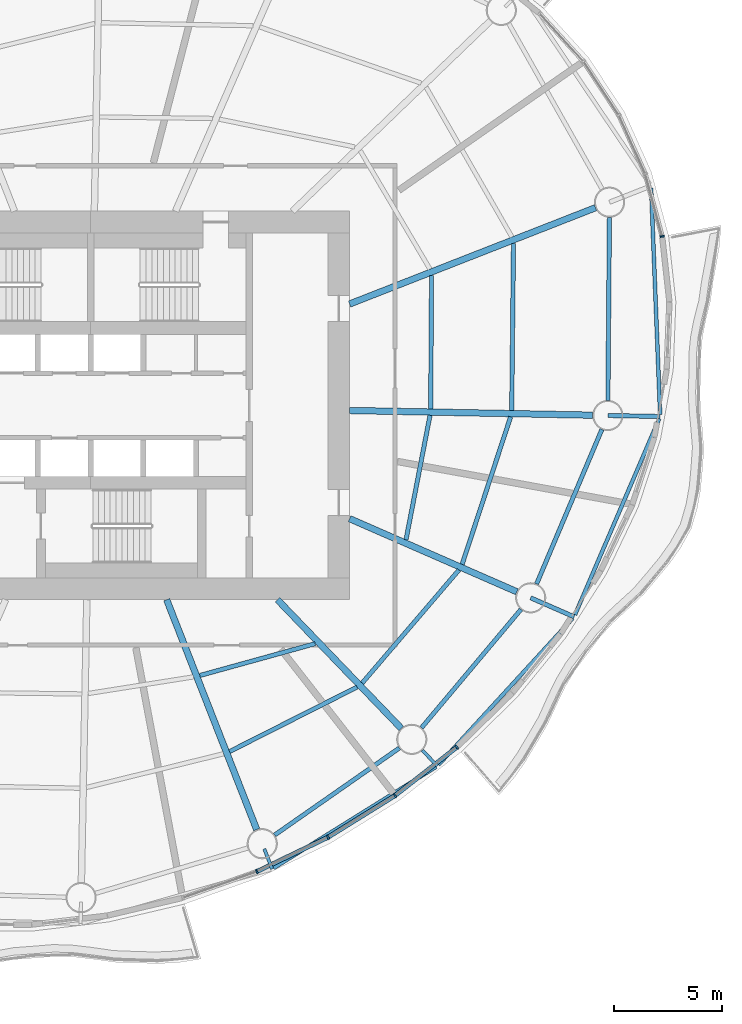
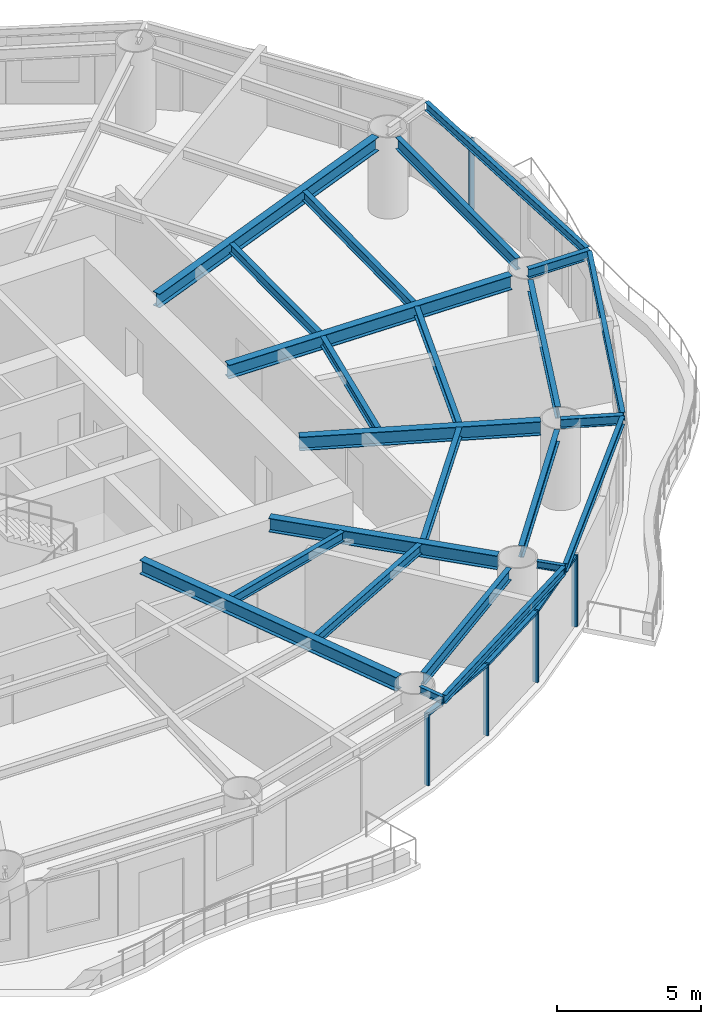
# One storey, part 4 of 14: 24 beams, 8 members, 4 elements without a shape of their own.
"""IFC4 building model written with IfcOpenShell, lengths in metres."""

import ifcopenshell
import ifcopenshell.guid

model = None  # the IFC model being written
_history = None  # IfcOwnerHistory: only IFC2X3 demands one
_inside = {}  # id of a spatial element -> (the spatial element, [elements in it])
_under = {}  # id of a project, library or spatial element -> (it, [spatial elements below it])
_declared = {}  # id of a project -> (the project, [libraries it declares])
_typed = {}  # id of a type object -> (the type object, [elements of that type])
_made_of = {}  # id of a material, layer set ... -> (it, [elements and type objects made of it])


def new_model(schema):
    """Start an empty IFC model of exactly this schema.

    Asked for "IFC4X3", IfcOpenShell would pick the latest addendum, in which some entities
    have other attributes; the version numbers below select the first issue.
    IFC2X3 requires an IfcOwnerHistory on every rooted entity: one is made here for all.
    """
    global model, _history
    if schema == "IFC4X3":
        model = ifcopenshell.file(schema_version=(4, 3, 0, 0))
    else:
        model = ifcopenshell.file(schema=schema)
    _inside.clear()
    _under.clear()
    _declared.clear()
    _typed.clear()
    _made_of.clear()
    _history = None
    if model.schema == "IFC2X3":
        org = make("IfcOrganization", Name="unknown")
        user = make(
            "IfcPersonAndOrganization",
            ThePerson=make("IfcPerson", FamilyName="unknown"),
            TheOrganization=org,
        )
        app = make(
            "IfcApplication",
            ApplicationDeveloper=org,
            Version="unknown",
            ApplicationFullName="unknown",
            ApplicationIdentifier="unknown",
        )
        _history = make(
            "IfcOwnerHistory",
            OwningUser=user,
            OwningApplication=app,
            ChangeAction="ADDED",
            CreationDate=0,
        )
    return model


def make(cls, **values):
    """One entity of the class cls with the attributes given. An attribute that is None is left unset."""
    return model.create_entity(
        cls, **{name: value for name, value in values.items() if value is not None}
    )


def rooted(cls, **values):
    """An entity with a GlobalId (a new one), such as an element, a storey or a relation."""
    return make(cls, GlobalId=ifcopenshell.guid.new(), OwnerHistory=_history, **values)


def si_unit(unit_type, name, prefix=None):
    """IfcSIUnit, for example si_unit("LENGTHUNIT", "METRE", prefix="MILLI")."""
    return make("IfcSIUnit", UnitType=unit_type, Prefix=prefix, Name=name)


def assignment(units):
    """IfcUnitAssignment: the units of a project."""
    return None if units is None else make("IfcUnitAssignment", Units=units)


def point(xyz):
    """IfcCartesianPoint."""
    return None if xyz is None else make("IfcCartesianPoint", Coordinates=xyz)


def direction(xyz):
    """IfcDirection."""
    return None if xyz is None else make("IfcDirection", DirectionRatios=xyz)


def frame(location, z_axis=None, x_axis=None):
    """IfcAxis2Placement3D, a coordinate frame: its origin and axes. An axis left out is left unset."""
    return make(
        "IfcAxis2Placement3D",
        Location=point(location),
        Axis=direction(z_axis),
        RefDirection=direction(x_axis),
    )


def frame_2d(location, x_axis=None):
    """IfcAxis2Placement2D, a coordinate frame in the plane: its origin and x axis."""
    return make(
        "IfcAxis2Placement2D", Location=point(location), RefDirection=direction(x_axis)
    )


def origin():
    """The frame at (0, 0, 0) with its axes left unset."""
    return frame((0.0, 0.0, 0.0))


def origin_2d():
    """The frame at (0, 0) in the plane with its x axis left unset."""
    return frame_2d((0.0, 0.0))


def place(relative_to, where):
    """IfcLocalPlacement: puts the frame where relative to a parent placement (None: the world)."""
    return make(
        "IfcLocalPlacement", PlacementRelTo=relative_to, RelativePlacement=where
    )


def context(
    kind, dimensions, precision=None, world=None, true_north=None, identifier=None
):
    """IfcGeometricRepresentationContext, for example the 3D "Model" context."""
    return make(
        "IfcGeometricRepresentationContext",
        ContextIdentifier=identifier,
        ContextType=kind,
        CoordinateSpaceDimension=dimensions,
        Precision=precision,
        WorldCoordinateSystem=world,
        TrueNorth=true_north,
    )


def subcontext(parent, identifier, kind, view, scale=None):
    """IfcGeometricRepresentationSubContext, for example "Body" below "Model"."""
    return make(
        "IfcGeometricRepresentationSubContext",
        ContextIdentifier=identifier,
        ContextType=kind,
        ParentContext=parent,
        TargetScale=scale,
        TargetView=view,
    )


def project(units=None, contexts=None):
    """IfcProject with its units and contexts."""
    return rooted(
        "IfcProject",
        Name="project",
        RepresentationContexts=contexts,
        UnitsInContext=assignment(units),
    )


def spatial(cls, under=None, at=None, **own):
    """A site, building, storey or space (cls), placed at a placement, below another one or the project."""
    s = rooted(cls, ObjectPlacement=at, **own)
    if under is not None:
        _under.setdefault(under.id(), (under, []))[1].append(s)
    return s


def profile(cls, at=None, kind="AREA", **sizes):
    """A parametric profile (cls). Its sizes go by their IFC names, for example OverallWidth=200.0."""
    return make(cls, ProfileType=kind, Position=at, **sizes)


def rectangle(**sizes):
    """IfcRectangleProfileDef."""
    return profile("IfcRectangleProfileDef", **sizes)


def i_section(**sizes):
    """IfcIShapeProfileDef."""
    return profile("IfcIShapeProfileDef", **sizes)


def extrude(swept, where, along, depth):
    """IfcExtrudedAreaSolid: the profile swept, set in the frame where, extruded along a direction by depth."""
    return make(
        "IfcExtrudedAreaSolid",
        SweptArea=swept,
        Position=where,
        ExtrudedDirection=direction(along),
        Depth=depth,
    )


def shape(context_of_items, identifier, shape_type, items):
    """IfcShapeRepresentation: the items that make up one representation, for example the "Body"."""
    return make(
        "IfcShapeRepresentation",
        ContextOfItems=context_of_items,
        RepresentationIdentifier=identifier,
        RepresentationType=shape_type,
        Items=items,
    )


def material(Name=None, Category=None):
    """IfcMaterial."""
    return make("IfcMaterial", Name=Name, Category=Category)


def material_profile(
    of_material, cross_section, Name=None, Category=None, Priority=None
):
    """IfcMaterialProfile: a cross section and its material."""
    return make(
        "IfcMaterialProfile",
        Name=Name,
        Material=of_material,
        Profile=cross_section,
        Priority=Priority,
        Category=Category,
    )


def profile_set(profiles, Name=None, composite=None):
    """IfcMaterialProfileSet."""
    return make(
        "IfcMaterialProfileSet",
        Name=Name,
        MaterialProfiles=profiles,
        CompositeProfile=composite,
    )


def made_of(thing, what):
    """Note that an element or type object is made of a material, layer set ...; save() writes the relation."""
    if what is not None:
        _made_of.setdefault(what.id(), (what, []))[1].append(thing)
    return thing


def type_object(cls, material=None, **own):
    """A type object (cls), such as IfcWallType, which elements share."""
    return made_of(rooted(cls, **own), material)


def element(
    cls,
    number,
    at=None,
    inside=None,
    cuts=None,
    type_object=None,
    material=None,
    context=None,
    identifier="Body",
    shape_type=None,
    held_by="IfcProductDefinitionShape",
    body=None,
    shapes=None,
    **own,
):
    """One element of the class cls, such as IfcWall. Its Tag is "e" and its number.

    at: its placement. inside: the storey or other place that contains it. cuts: it is an
    opening in that element (IfcRelVoidsElement). A single representation is given by context,
    identifier, shape_type and body (its items); several are given by shapes. held_by: the class
    of the entity that holds the representations. save() writes the other relations.
    """
    e = rooted(cls, Tag="e%d" % number, ObjectPlacement=at, **own)
    if body is not None:
        shapes = [shape(context, identifier, shape_type, body)]
    if shapes is not None:
        e.Representation = make(held_by, Representations=shapes)
    if inside is not None:
        _inside.setdefault(inside.id(), (inside, []))[1].append(e)
    if cuts is not None:
        rooted(
            "IfcRelVoidsElement", RelatingBuildingElement=cuts, RelatedOpeningElement=e
        )
    if type_object is not None:
        _typed.setdefault(type_object.id(), (type_object, []))[1].append(e)
    return made_of(e, material)


def aggregate(whole, parts):
    """IfcRelAggregates: a whole, such as a stair, and the parts it consists of."""
    return rooted("IfcRelAggregates", RelatingObject=whole, RelatedObjects=parts)


def save(model, path):
    """Write the relations noted so far, then the file.

    IfcRelAggregates (storeys below a building ...), IfcRelContainedInSpatialStructure (elements
    in a storey), IfcRelDefinesByType, IfcRelAssociatesMaterial and IfcRelDeclares: one each for
    every whole, place, type object, material and project.
    """
    for whole, parts in _under.values():
        aggregate(whole, parts)
    for where, things in _inside.values():
        rooted(
            "IfcRelContainedInSpatialStructure",
            RelatedElements=things,
            RelatingStructure=where,
        )
    for kind, things in _typed.values():
        rooted("IfcRelDefinesByType", RelatedObjects=things, RelatingType=kind)
    for what, things in _made_of.values():
        rooted("IfcRelAssociatesMaterial", RelatedObjects=things, RelatingMaterial=what)
    for by, libraries in _declared.values():
        rooted("IfcRelDeclares", RelatingContext=by, RelatedDefinitions=libraries)
    model.write(path)


model = new_model("IFC4")

# Units and contexts
model_context = context("Model", 3, precision=1e-05, world=origin(), true_north=direction((0.0, 1.0)))
body_context = subcontext(model_context, "Body", "Model", "MODEL_VIEW")
ifc_project = project(units=[si_unit("LENGTHUNIT", "METRE"), si_unit("AREAUNIT", "SQUARE_METRE"), si_unit("VOLUMEUNIT", "CUBIC_METRE"), si_unit("PLANEANGLEUNIT", "RADIAN"), si_unit("MASSUNIT", "GRAM", prefix="KILO")], contexts=[model_context])

# Site, building, storey
site_placement = place(None, origin())
site = spatial("IfcSite", under=ifc_project, at=site_placement, CompositionType="ELEMENT")
building_placement = place(site_placement, origin())
building = spatial("IfcBuilding", under=site, at=building_placement, Name="Vermilion Reach Broadcast Tower", CompositionType="ELEMENT")
storey_placement = place(building_placement, frame((0.0, 0.0, 150.60009765625)))
storey = spatial("IfcBuildingStorey", under=building, at=storey_placement, Name="L35", CompositionType="ELEMENT", Elevation=150.60009765625)

# Beams
ifc_material_1 = material(Name="Steel S355J2", Category="steel")
ifc_material_profile_1 = material_profile(ifc_material_1, i_section(OverallWidth=0.175048828125, OverallDepth=0.35009765625, WebThickness=0.007080078125, FlangeThickness=0.010986328125, at=origin_2d()), Name="S355J2 HN 350x175x7x11")
ifc_profile_set_1 = profile_set([ifc_material_profile_1], Name="Steel S355J2")
beam_type_1 = type_object("IfcBeamType", Name="EB3 HN 350x175x7x11", PredefinedType="BEAM", material=ifc_profile_set_1)
beam_1_placement = place(storey_placement, frame((2.475341796875, -21.431884765625, 3.27490234375), z_axis=(0.848721358221, 0.528840293566, 0.0), x_axis=(-0.528840293566, 0.848721358221, 0.0)))
element("IfcBeam", 1, at=beam_1_placement, inside=storey, type_object=beam_type_1, Name="Edge beam EB3-12", PredefinedType="BEAM", context=body_context, shape_type="SweptSolid", body=[
    extrude(i_section(OverallWidth=0.175048828125, OverallDepth=0.35009765625, WebThickness=0.007080078125, FlangeThickness=0.010986328125, at=origin_2d()), origin(), (0.0, 0.0, 1.0), 8.867919921875),
])
beam_2_placement = place(storey_placement, frame((10.11767578125, -16.646240234375, 3.27490234375), z_axis=(0.675544210336, 0.737319482912, 0.0), x_axis=(-0.737319482912, 0.675544210336, 0.0)))
element("IfcBeam", 2, at=beam_2_placement, inside=storey, type_object=beam_type_1, Name="Edge beam EB3-13", PredefinedType="BEAM", context=body_context, shape_type="SweptSolid", body=[
    extrude(i_section(OverallWidth=0.175048828125, OverallDepth=0.35009765625, WebThickness=0.007080078125, FlangeThickness=0.010986328125, at=origin_2d()), origin(), (0.0, 0.0, 1.0), 9.192626953125),
])
beam_3_placement = place(storey_placement, frame((16.4384765625, -9.69873046875, 3.27490234375), z_axis=(0.394878195598, 0.918733481833, 0.0), x_axis=(-0.918733481833, 0.394878195598, 0.0)))
element("IfcBeam", 3, at=beam_3_placement, inside=storey, type_object=beam_type_1, Name="Edge beam EB3-14", PredefinedType="BEAM", context=body_context, shape_type="SweptSolid", body=[
    extrude(i_section(OverallWidth=0.175048828125, OverallDepth=0.35009765625, WebThickness=0.007080078125, FlangeThickness=0.010986328125, at=origin_2d()), origin(), (0.0, 0.0, 1.0), 9.892333984375),
])
beam_4_placement = place(storey_placement, frame((20.383544921875, -0.4111328125, 3.27490234375), z_axis=(-0.039683442003, 0.999212301981, 0.0), x_axis=(-0.999212301981, -0.039683442003, 0.0)))
element("IfcBeam", 4, at=beam_4_placement, inside=storey, type_object=beam_type_1, Name="Edge beam EB3-15", PredefinedType="BEAM", context=body_context, shape_type="SweptSolid", body=[
    extrude(i_section(OverallWidth=0.175048828125, OverallDepth=0.35009765625, WebThickness=0.007080078125, FlangeThickness=0.010986328125, at=origin_2d()), origin(), (0.0, 0.0, 1.0), 10.4833984375),
])
ifc_material_2 = material(Name="Steel S355J2", Category="steel")
ifc_material_profile_2 = material_profile(ifc_material_2, i_section(OverallWidth=0.300048828125, OverallDepth=0.587890625, WebThickness=0.011962890625, FlangeThickness=0.02001953125, at=origin_2d()), Name="S355J2 HM 588x300x12x20")
ifc_profile_set_2 = profile_set([ifc_material_profile_2], Name="Steel S355J2")
beam_type_2 = type_object("IfcBeamType", Name="G3 HM 588x300x12x20", PredefinedType="BEAM", material=ifc_profile_set_2)
beam_5_placement = place(storey_placement, frame((-2.474853515625, -9.0, 3.156005859375), z_axis=(0.364715649973, -0.931118947646, 0.0), x_axis=(0.931118947646, 0.364715649973, 0.0)))
element("IfcBeam", 5, at=beam_5_placement, inside=storey, type_object=beam_type_2, Name="Girder G3-12", PredefinedType="BEAM", context=body_context, shape_type="SweptSolid", body=[
    extrude(i_section(OverallWidth=0.300048828125, OverallDepth=0.587890625, WebThickness=0.011962890625, FlangeThickness=0.02001953125, at=origin_2d()), origin(), (0.0, 0.0, 1.0), 11.436767578125),
])
beam_6_placement = place(storey_placement, frame((2.657958984375, -9.0, 3.156005859375), z_axis=(0.693282657492, -0.72066577331, 0.0), x_axis=(0.72066577331, 0.693282657492, 0.0)))
element("IfcBeam", 6, at=beam_6_placement, inside=storey, type_object=beam_type_2, Name="Girder G3-13", PredefinedType="BEAM", context=body_context, shape_type="SweptSolid", body=[
    extrude(i_section(OverallWidth=0.300048828125, OverallDepth=0.587890625, WebThickness=0.011962890625, FlangeThickness=0.02001953125, at=origin_2d()), origin(), (0.0, 0.0, 1.0), 8.273681640625),
])
beam_7_placement = place(storey_placement, frame((6.0, -5.2451171875, 3.156005859375), z_axis=(0.916287847036, -0.400520388213, 0.0), x_axis=(0.400520388213, 0.916287847036, 0.0)))
element("IfcBeam", 7, at=beam_7_placement, inside=storey, type_object=beam_type_2, Name="Girder G3-14", PredefinedType="BEAM", context=body_context, shape_type="SweptSolid", body=[
    extrude(i_section(OverallWidth=0.300048828125, OverallDepth=0.587890625, WebThickness=0.011962890625, FlangeThickness=0.02001953125, at=origin_2d()), origin(), (0.0, 0.0, 1.0), 8.45458984375),
])
beam_8_placement = place(storey_placement, frame((6.0, -0.232421875, 3.156005859375), z_axis=(0.999812170888, -0.019380994401, 0.0), x_axis=(0.019380994401, 0.999812170888, 0.0)))
element("IfcBeam", 8, at=beam_8_placement, inside=storey, type_object=beam_type_2, Name="Girder G3-15", PredefinedType="BEAM", context=body_context, shape_type="SweptSolid", body=[
    extrude(i_section(OverallWidth=0.300048828125, OverallDepth=0.587890625, WebThickness=0.011962890625, FlangeThickness=0.02001953125, at=origin_2d()), origin(), (0.0, 0.0, 1.0), 11.26171875),
])
beam_9_placement = place(storey_placement, frame((6.0, 4.700439453125, 3.156005859375), z_axis=(0.931124635714, 0.364701128004, 0.0), x_axis=(-0.364701128004, 0.931124635714, 0.0)))
element("IfcBeam", 9, at=beam_9_placement, inside=storey, type_object=beam_type_2, Name="Girder G3-16", PredefinedType="BEAM", context=body_context, shape_type="SweptSolid", body=[
    extrude(i_section(OverallWidth=0.300048828125, OverallDepth=0.587890625, WebThickness=0.011962890625, FlangeThickness=0.02001953125, at=origin_2d()), origin(), (0.0, 0.0, 1.0), 12.231201171875),
])
ifc_material_3 = material(Name="Steel S355J2", Category="steel")
ifc_material_profile_3 = material_profile(ifc_material_3, i_section(OverallWidth=0.199951171875, OverallDepth=0.39990234375, WebThickness=0.008056640625, FlangeThickness=0.012939453125, at=origin_2d()), Name="S355J2 HN 400x200x8x13")
ifc_profile_set_3 = profile_set([ifc_material_profile_3], Name="Steel S355J2")
beam_type_3 = type_object("IfcBeamType", Name="GC3 HN 400x200x8x13", PredefinedType="BEAM", material=ifc_profile_set_3)
beam_10_placement = place(storey_placement, frame((14.38818359375, -8.91162109375, 3.25), z_axis=(0.916290060208, -0.400515325006, 0.0), x_axis=(0.400515325006, 0.916290060208, 0.0)))
element("IfcBeam", 10, at=beam_10_placement, inside=storey, type_object=beam_type_3, Name="Cantilever girder GC3-14", PredefinedType="BEAM", context=body_context, shape_type="SweptSolid", body=[
    extrude(i_section(OverallWidth=0.199951171875, OverallDepth=0.39990234375, WebThickness=0.008056640625, FlangeThickness=0.012939453125, at=origin_2d()), origin(), (0.0, 0.0, 1.0), 2.1943359375),
])
beam_11_placement = place(storey_placement, frame((17.95947265625, -0.464111328125, 3.25), z_axis=(0.999811742453, -0.019403083589, 0.0), x_axis=(0.019403083589, 0.999811742453, 0.0)))
element("IfcBeam", 11, at=beam_11_placement, inside=storey, type_object=beam_type_3, Name="Cantilever girder GC3-15", PredefinedType="BEAM", context=body_context, shape_type="SweptSolid", body=[
    extrude(i_section(OverallWidth=0.199951171875, OverallDepth=0.39990234375, WebThickness=0.008056640625, FlangeThickness=0.012939453125, at=origin_2d()), origin(), (0.0, 0.0, 1.0), 2.428466796875),
])
ifc_material_4 = material(Name="Steel S355J2", Category="steel")
ifc_material_profile_4 = material_profile(ifc_material_4, i_section(OverallWidth=0.14990234375, OverallDepth=0.300048828125, WebThickness=0.006591796875, FlangeThickness=0.009033203125, at=origin_2d()), Name="S355J2 HN 300x150x6.5x9")
ifc_profile_set_4 = profile_set([ifc_material_profile_4], Name="Steel S355J2")
beam_type_4 = type_object("IfcBeamType", Name="GS3 HN 300x150x6.5x9", PredefinedType="BEAM", material=ifc_profile_set_4)
beam_12_placement = place(storey_placement, frame((2.0458984375, -20.541015625, 3.2998046875), z_axis=(0.364730702407, -0.931113051526, 0.0), x_axis=(0.931113051526, 0.364730702407, 0.0)))
element("IfcBeam", 12, at=beam_12_placement, inside=storey, type_object=beam_type_4, Name="Cantilever stub GS3-12", PredefinedType="BEAM", context=body_context, shape_type="SweptSolid", body=[
    extrude(i_section(OverallWidth=0.14990234375, OverallDepth=0.300048828125, WebThickness=0.006591796875, FlangeThickness=0.009033203125, at=origin_2d()), origin(), (0.0, 0.0, 1.0), 1.0),
])
beam_13_placement = place(storey_placement, frame((9.364501953125, -15.9716796875, 3.2998046875), z_axis=(0.693359122532, -0.720592205899, 0.0), x_axis=(0.720592205899, 0.693359122532, 0.0)))
element("IfcBeam", 13, at=beam_13_placement, inside=storey, type_object=beam_type_4, Name="Cantilever stub GS3-13", PredefinedType="BEAM", context=body_context, shape_type="SweptSolid", body=[
    extrude(i_section(OverallWidth=0.14990234375, OverallDepth=0.300048828125, WebThickness=0.006591796875, FlangeThickness=0.009033203125, at=origin_2d()), origin(), (0.0, 0.0, 1.0), 1.012939453125),
])
ifc_material_5 = material(Name="Steel S355J2", Category="steel")
ifc_material_profile_5 = material_profile(ifc_material_5, i_section(OverallWidth=0.199951171875, OverallDepth=0.5, WebThickness=0.010009765625, FlangeThickness=0.01611328125, at=origin_2d()), Name="S355J2 HN 500x200x10x16")
ifc_profile_set_5 = profile_set([ifc_material_profile_5], Name="Steel S355J2")
beam_type_5 = type_object("IfcBeamType", Name="RB3 HN 500x200x10x16", PredefinedType="BEAM", material=ifc_profile_set_5)
beam_14_placement = place(storey_placement, frame((2.525634765625, -19.900146484375, 3.199951171875), z_axis=(0.820111453349, 0.572203813415, 0.0), x_axis=(-0.572203813415, 0.820111453349, 0.0)))
element("IfcBeam", 14, at=beam_14_placement, inside=storey, type_object=beam_type_5, Name="Ring beam RB3-12", PredefinedType="BEAM", context=body_context, shape_type="SweptSolid", body=[
    extrude(i_section(OverallWidth=0.199951171875, OverallDepth=0.5, WebThickness=0.010009765625, FlangeThickness=0.01611328125, at=origin_2d()), origin(), (0.0, 0.0, 1.0), 7.04736328125),
])
beam_15_placement = place(storey_placement, frame((9.32958984375, -14.931396484375, 3.199951171875), z_axis=(0.643350337931, 0.765571905626, 0.0), x_axis=(-0.765571905626, 0.643350337931, 0.0)))
element("IfcBeam", 15, at=beam_15_placement, inside=storey, type_object=beam_type_5, Name="Ring beam RB3-13", PredefinedType="BEAM", context=body_context, shape_type="SweptSolid", body=[
    extrude(i_section(OverallWidth=0.199951171875, OverallDepth=0.5, WebThickness=0.010009765625, FlangeThickness=0.01611328125, at=origin_2d()), origin(), (0.0, 0.0, 1.0), 7.1630859375),
])
beam_16_placement = place(storey_placement, frame((14.660888671875, -8.266845703125, 3.199951171875), z_axis=(0.389368386196, 0.921082113512, 0.0), x_axis=(-0.921082113512, 0.389368386196, 0.0)))
element("IfcBeam", 16, at=beam_16_placement, inside=storey, type_object=beam_type_5, Name="Ring beam RB3-14", PredefinedType="BEAM", context=body_context, shape_type="SweptSolid", body=[
    extrude(i_section(OverallWidth=0.199951171875, OverallDepth=0.5, WebThickness=0.010009765625, FlangeThickness=0.01611328125, at=origin_2d()), origin(), (0.0, 0.0, 1.0), 7.771240234375),
])
beam_17_placement = place(storey_placement, frame((17.965087890625, 0.23583984375, 3.199951171875), z_axis=(0.008204232036, 0.999966344722, 0.0), x_axis=(-0.999966344722, 0.008204232036, 0.0)))
element("IfcBeam", 17, at=beam_17_placement, inside=storey, type_object=beam_type_5, Name="Ring beam RB3-15", PredefinedType="BEAM", context=body_context, shape_type="SweptSolid", body=[
    extrude(i_section(OverallWidth=0.199951171875, OverallDepth=0.5, WebThickness=0.010009765625, FlangeThickness=0.01611328125, at=origin_2d()), origin(), (0.0, 0.0, 1.0), 8.48095703125),
])
ifc_material_6 = material(Name="Steel S355J2", Category="steel")
ifc_material_profile_6 = material_profile(ifc_material_6, i_section(OverallWidth=0.199951171875, OverallDepth=0.39990234375, WebThickness=0.008056640625, FlangeThickness=0.012939453125, at=origin_2d()), Name="S355J2 HN 400x200x8x13")
ifc_profile_set_6 = profile_set([ifc_material_profile_6], Name="Steel S355J2")
beam_type_6 = type_object("IfcBeamType", Name="SB3 HN 400x200x8x13", PredefinedType="BEAM", material=ifc_profile_set_6)
beam_18_placement = place(storey_placement, frame((-0.93896484375, -12.509521484375, 3.25), z_axis=(0.963889790258, 0.266301468708, 0.0), x_axis=(-0.266301468708, 0.963889790258, 0.0)))
element("IfcBeam", 18, at=beam_18_placement, inside=storey, type_object=beam_type_6, Name="Secondary beam SB3-12-1", PredefinedType="BEAM", context=body_context, shape_type="SweptSolid", body=[
    extrude(i_section(OverallWidth=0.199951171875, OverallDepth=0.39990234375, WebThickness=0.008056640625, FlangeThickness=0.012939453125, at=origin_2d()), origin(), (0.0, 0.0, 1.0), 5.544677734375),
])
beam_19_placement = place(storey_placement, frame((0.4404296875, -16.03125, 3.25), z_axis=(0.892320561657, 0.451402276516, 0.0), x_axis=(-0.451402276516, 0.892320561657, 0.0)))
element("IfcBeam", 19, at=beam_19_placement, inside=storey, type_object=beam_type_6, Name="Secondary beam SB3-12-2", PredefinedType="BEAM", context=body_context, shape_type="SweptSolid", body=[
    extrude(i_section(OverallWidth=0.199951171875, OverallDepth=0.39990234375, WebThickness=0.008056640625, FlangeThickness=0.012939453125, at=origin_2d()), origin(), (0.0, 0.0, 1.0), 6.613525390625),
])
beam_20_placement = place(storey_placement, frame((6.579833984375, -12.860595703125, 3.25), z_axis=(0.650167134505, 0.759791219487, 0.0), x_axis=(-0.759791219487, 0.650167134505, 0.0)))
element("IfcBeam", 20, at=beam_20_placement, inside=storey, type_object=beam_type_6, Name="Secondary beam SB3-13-2", PredefinedType="BEAM", context=body_context, shape_type="SweptSolid", body=[
    extrude(i_section(OverallWidth=0.199951171875, OverallDepth=0.39990234375, WebThickness=0.008056640625, FlangeThickness=0.012939453125, at=origin_2d()), origin(), (0.0, 0.0, 1.0), 6.89501953125),
])
beam_21_placement = place(storey_placement, frame((8.611328125, -6.222900390625, 3.25), z_axis=(0.189462365782, 0.981887983404, 0.0), x_axis=(-0.981887983404, 0.189462365782, 0.0)))
element("IfcBeam", 21, at=beam_21_placement, inside=storey, type_object=beam_type_6, Name="Secondary beam SB3-14-1", PredefinedType="BEAM", context=body_context, shape_type="SweptSolid", body=[
    extrude(i_section(OverallWidth=0.199951171875, OverallDepth=0.39990234375, WebThickness=0.008056640625, FlangeThickness=0.012939453125, at=origin_2d()), origin(), (0.0, 0.0, 1.0), 5.874755859375),
])
beam_22_placement = place(storey_placement, frame((11.211669921875, -7.359375, 3.25), z_axis=(0.312243016281, 0.950002262515, 0.0), x_axis=(-0.950002262515, 0.312243016281, 0.0)))
element("IfcBeam", 22, at=beam_22_placement, inside=storey, type_object=beam_type_6, Name="Secondary beam SB3-14-2", PredefinedType="BEAM", context=body_context, shape_type="SweptSolid", body=[
    extrude(i_section(OverallWidth=0.199951171875, OverallDepth=0.39990234375, WebThickness=0.008056640625, FlangeThickness=0.012939453125, at=origin_2d()), origin(), (0.0, 0.0, 1.0), 7.19189453125),
])
beam_23_placement = place(storey_placement, frame((9.754150390625, -0.1552734375, 3.25), z_axis=(0.006635449147, 0.999977985165, 0.0), x_axis=(-0.999977985165, 0.006635449147, 0.0)))
element("IfcBeam", 23, at=beam_23_placement, inside=storey, type_object=beam_type_6, Name="Secondary beam SB3-15-1", PredefinedType="BEAM", context=body_context, shape_type="SweptSolid", body=[
    extrude(i_section(OverallWidth=0.199951171875, OverallDepth=0.39990234375, WebThickness=0.008056640625, FlangeThickness=0.012939453125, at=origin_2d()), origin(), (0.0, 0.0, 1.0), 6.181396484375),
])
beam_24_placement = place(storey_placement, frame((13.508056640625, -0.22802734375, 3.25), z_axis=(0.010691708672, 0.999942842049, 0.0), x_axis=(-0.999942842049, 0.010691708672, 0.0)))
element("IfcBeam", 24, at=beam_24_placement, inside=storey, type_object=beam_type_6, Name="Secondary beam SB3-15-2", PredefinedType="BEAM", context=body_context, shape_type="SweptSolid", body=[
    extrude(i_section(OverallWidth=0.199951171875, OverallDepth=0.39990234375, WebThickness=0.008056640625, FlangeThickness=0.012939453125, at=origin_2d()), origin(), (0.0, 0.0, 1.0), 7.740966796875),
])

# Curtain wall, member
ifc_material_7 = material(Name="Low-e laminated clear glass in aluminium frame", Category="aluminium")
curtain_wall_type = type_object("IfcCurtainWallType", Name="Slot curtain wall", PredefinedType="NOTDEFINED", material=ifc_material_7)
placement = place(storey_placement, origin())
curtain_wall_1 = element("IfcCurtainWall", 25, at=placement, inside=storey, type_object=curtain_wall_type, Name="Slot curtain wall L35 46", PredefinedType="NOTDEFINED")
ifc_material_8 = material(Name="Anodised aluminium", Category="aluminium")
ifc_material_profile_7 = material_profile(ifc_material_8, rectangle(XDim=0.199951171875, YDim=0.080078125, at=origin_2d()), Name="Slot mullion 80 x 200")
ifc_profile_set_7 = profile_set([ifc_material_profile_7], Name="Anodised aluminium")
member_type_1 = type_object("IfcMemberType", Name="Slot mullion 80 x 200", PredefinedType="MULLION", material=ifc_profile_set_7)
member_1_placement = place(storey_placement, frame((20.47802734375, 7.832275390625, 0.0), z_axis=(0.0, 0.0, 1.0), x_axis=(-0.982526600991, -0.186122213465, 0.0)))
member_1 = element("IfcMember", 26, at=member_1_placement, type_object=member_type_1, Name="Slot mullion L35 46", PredefinedType="MULLION", context=body_context, shape_type="SweptSolid", body=[
    extrude(rectangle(XDim=0.199951171875, YDim=0.080078125, at=origin_2d()), origin(), (0.0, 0.0, 1.0), 3.0498046875),
])
aggregate(curtain_wall_1, [member_1])

curtain_wall_2 = element("IfcCurtainWall", 27, at=placement, inside=storey, type_object=curtain_wall_type, Name="Slot curtain wall L35 35", PredefinedType="NOTDEFINED")
member_2_placement = place(storey_placement, frame((1.70263671875, -21.5908203125, 0.0), z_axis=(0.0, 0.0, 1.0), x_axis=(-0.384844275011, 0.92298151877, 0.0)))
member_2 = element("IfcMember", 28, at=member_2_placement, type_object=member_type_1, Name="Slot mullion L35 35", PredefinedType="MULLION", context=body_context, shape_type="SweptSolid", body=[
    extrude(rectangle(XDim=0.199951171875, YDim=0.080078125, at=origin_2d()), origin(), (0.0, 0.0, 1.0), 3.0498046875),
])

curtain_wall_3 = element("IfcCurtainWall", 29, at=placement, inside=storey, type_object=curtain_wall_type, Name="Slot curtain wall L35 36", PredefinedType="NOTDEFINED")
member_3_placement = place(storey_placement, frame((4.9970703125, -20.00341796875, 0.0), z_axis=(0.0, 0.0, 1.0), x_axis=(-0.481753807026, 0.876306606968, 0.0)))
member_3 = element("IfcMember", 30, at=member_3_placement, type_object=member_type_1, Name="Slot mullion L35 36", PredefinedType="MULLION", context=body_context, shape_type="SweptSolid", body=[
    extrude(rectangle(XDim=0.199951171875, YDim=0.080078125, at=origin_2d()), origin(), (0.0, 0.0, 1.0), 3.0498046875),
])

# Curtain wall, members
curtain_wall_4 = element("IfcCurtainWall", 31, at=placement, inside=storey, type_object=curtain_wall_type, Name="Slot curtain wall L35 37", PredefinedType="NOTDEFINED")
member_4_placement = place(storey_placement, frame((8.1025390625, -18.072509765625, 0.0), z_axis=(0.0, 0.0, 1.0), x_axis=(-0.573089274682, 0.819492942767, 0.0)))
member_4 = element("IfcMember", 32, at=member_4_placement, type_object=member_type_1, Name="Slot mullion L35 37", PredefinedType="MULLION", context=body_context, shape_type="SweptSolid", body=[
    extrude(rectangle(XDim=0.199951171875, YDim=0.080078125, at=origin_2d()), origin(), (0.0, 0.0, 1.0), 3.0498046875),
])
member_5_placement = place(storey_placement, frame((10.96533203125, -15.8310546875, 0.0), z_axis=(0.0, 0.0, 1.0), x_axis=(-0.658702528091, 0.75240346855, 0.0)))
member_5 = element("IfcMember", 33, at=member_5_placement, type_object=member_type_1, Name="Slot mullion L35 38", PredefinedType="MULLION", context=body_context, shape_type="SweptSolid", body=[
    extrude(rectangle(XDim=0.199951171875, YDim=0.080078125, at=origin_2d()), origin(), (0.0, 0.0, 1.0), 3.0498046875),
])

# Member
ifc_material_9 = material(Name="Anodised aluminium", Category="aluminium")
ifc_material_profile_8 = material_profile(ifc_material_9, rectangle(XDim=0.199951171875, YDim=0.10009765625, at=origin_2d()), Name="Slot transom 200 x 100")
ifc_profile_set_8 = profile_set([ifc_material_profile_8], Name="Anodised aluminium")
member_type_2 = type_object("IfcMemberType", Name="Slot transom 200 x 100", PredefinedType="USERDEFINED", material=ifc_profile_set_8)
member_6_placement = place(storey_placement, frame((1.738525390625, -21.573486328125, 3.0), z_axis=(0.900870214958, 0.43408853452, 0.0), x_axis=(-0.43408853452, 0.900870214958, 0.0)))
member_6 = element("IfcMember", 34, at=member_6_placement, type_object=member_type_2, Name="Slot transom L35 35.1", ObjectType="TRANSOM", PredefinedType="USERDEFINED", context=body_context, shape_type="SweptSolid", body=[
    extrude(rectangle(XDim=0.199951171875, YDim=0.10009765625, at=origin_2d()), origin(), (0.0, 0.0, 1.0), 3.576904296875),
])

aggregate(curtain_wall_2, [member_2, member_6])

member_7_placement = place(storey_placement, frame((5.031005859375, -19.982421875, 3.0), z_axis=(0.849200124215, 0.528071159062, 0.0), x_axis=(-0.528071159062, 0.849200124215, 0.0)))
member_7 = element("IfcMember", 35, at=member_7_placement, type_object=member_type_2, Name="Slot transom L35 36.1", ObjectType="TRANSOM", PredefinedType="USERDEFINED", context=body_context, shape_type="SweptSolid", body=[
    extrude(rectangle(XDim=0.199951171875, YDim=0.10009765625, at=origin_2d()), origin(), (0.0, 0.0, 1.0), 3.576904296875),
])

aggregate(curtain_wall_3, [member_3, member_7])

member_8_placement = place(storey_placement, frame((8.134033203125, -18.0478515625, 3.0), z_axis=(0.787370241818, 0.61648041518, 0.0), x_axis=(-0.61648041518, 0.787370241818, 0.0)))
member_8 = element("IfcMember", 36, at=member_8_placement, type_object=member_type_2, Name="Slot transom L35 37.1", ObjectType="TRANSOM", PredefinedType="USERDEFINED", context=body_context, shape_type="SweptSolid", body=[
    extrude(rectangle(XDim=0.199951171875, YDim=0.10009765625, at=origin_2d()), origin(), (0.0, 0.0, 1.0), 3.555908203125),
])

aggregate(curtain_wall_4, [member_4, member_5, member_8])

save(model, "model.ifc")
